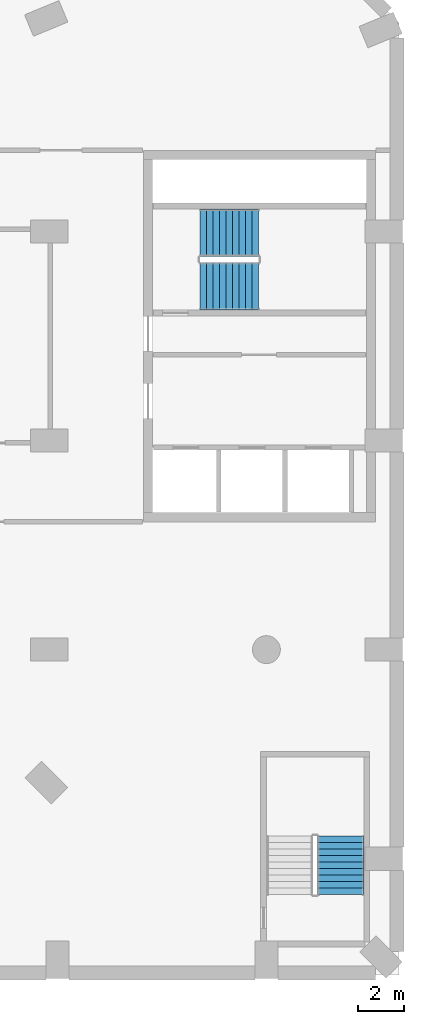
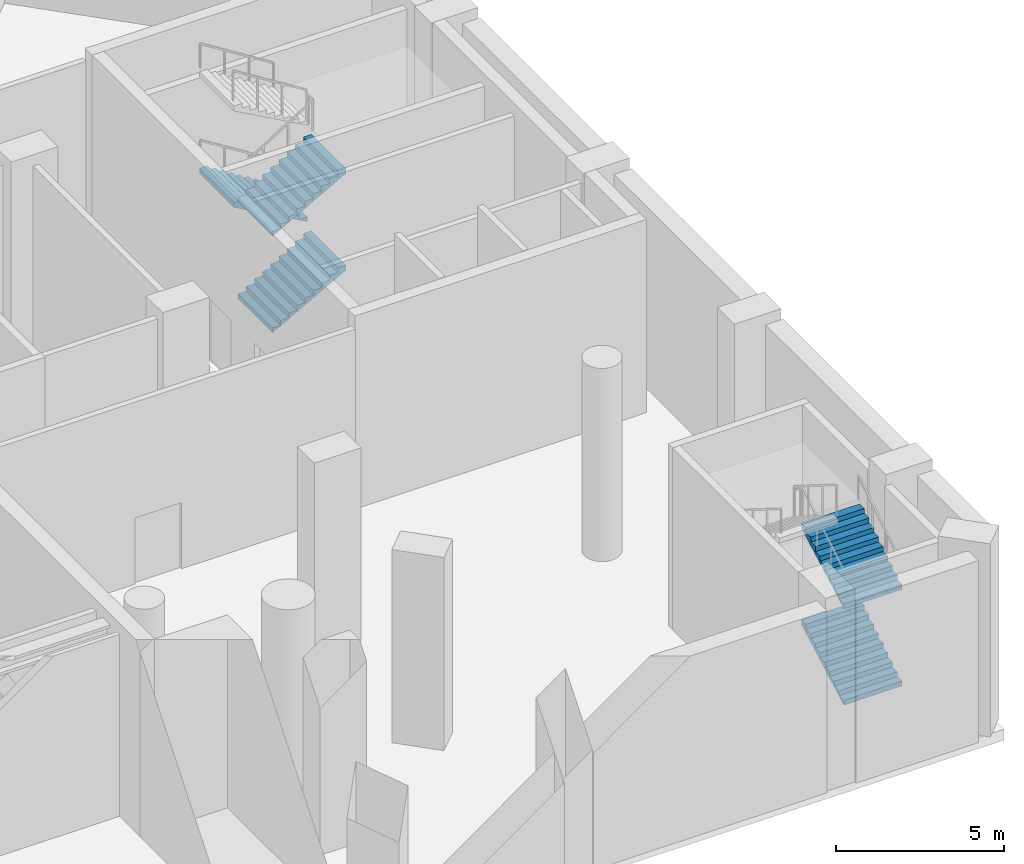
# One storey, part 16 of 21: 5 stair flights, 2 elements without a shape of their own.
"""IFC4 building model written with IfcOpenShell, lengths in metres."""

import ifcopenshell
import ifcopenshell.guid

model = None  # the IFC model being written
_history = None  # IfcOwnerHistory: only IFC2X3 demands one
_inside = {}  # id of a spatial element -> (the spatial element, [elements in it])
_under = {}  # id of a project, library or spatial element -> (it, [spatial elements below it])
_declared = {}  # id of a project -> (the project, [libraries it declares])
_typed = {}  # id of a type object -> (the type object, [elements of that type])
_made_of = {}  # id of a material, layer set ... -> (it, [elements and type objects made of it])


def new_model(schema):
    """Start an empty IFC model of exactly this schema.

    Asked for "IFC4X3", IfcOpenShell would pick the latest addendum, in which some entities
    have other attributes; the version numbers below select the first issue.
    IFC2X3 requires an IfcOwnerHistory on every rooted entity: one is made here for all.
    """
    global model, _history
    if schema == "IFC4X3":
        model = ifcopenshell.file(schema_version=(4, 3, 0, 0))
    else:
        model = ifcopenshell.file(schema=schema)
    _inside.clear()
    _under.clear()
    _declared.clear()
    _typed.clear()
    _made_of.clear()
    _history = None
    if model.schema == "IFC2X3":
        org = make("IfcOrganization", Name="unknown")
        user = make(
            "IfcPersonAndOrganization",
            ThePerson=make("IfcPerson", FamilyName="unknown"),
            TheOrganization=org,
        )
        app = make(
            "IfcApplication",
            ApplicationDeveloper=org,
            Version="unknown",
            ApplicationFullName="unknown",
            ApplicationIdentifier="unknown",
        )
        _history = make(
            "IfcOwnerHistory",
            OwningUser=user,
            OwningApplication=app,
            ChangeAction="ADDED",
            CreationDate=0,
        )
    return model


def make(cls, **values):
    """One entity of the class cls with the attributes given. An attribute that is None is left unset."""
    return model.create_entity(
        cls, **{name: value for name, value in values.items() if value is not None}
    )


def rooted(cls, **values):
    """An entity with a GlobalId (a new one), such as an element, a storey or a relation."""
    return make(cls, GlobalId=ifcopenshell.guid.new(), OwnerHistory=_history, **values)


def si_unit(unit_type, name, prefix=None):
    """IfcSIUnit, for example si_unit("LENGTHUNIT", "METRE", prefix="MILLI")."""
    return make("IfcSIUnit", UnitType=unit_type, Prefix=prefix, Name=name)


def assignment(units):
    """IfcUnitAssignment: the units of a project."""
    return None if units is None else make("IfcUnitAssignment", Units=units)


def point(xyz):
    """IfcCartesianPoint."""
    return None if xyz is None else make("IfcCartesianPoint", Coordinates=xyz)


def direction(xyz):
    """IfcDirection."""
    return None if xyz is None else make("IfcDirection", DirectionRatios=xyz)


def frame(location, z_axis=None, x_axis=None):
    """IfcAxis2Placement3D, a coordinate frame: its origin and axes. An axis left out is left unset."""
    return make(
        "IfcAxis2Placement3D",
        Location=point(location),
        Axis=direction(z_axis),
        RefDirection=direction(x_axis),
    )


def origin():
    """The frame at (0, 0, 0) with its axes left unset."""
    return frame((0.0, 0.0, 0.0))


def place(relative_to, where):
    """IfcLocalPlacement: puts the frame where relative to a parent placement (None: the world)."""
    return make(
        "IfcLocalPlacement", PlacementRelTo=relative_to, RelativePlacement=where
    )


def context(
    kind, dimensions, precision=None, world=None, true_north=None, identifier=None
):
    """IfcGeometricRepresentationContext, for example the 3D "Model" context."""
    return make(
        "IfcGeometricRepresentationContext",
        ContextIdentifier=identifier,
        ContextType=kind,
        CoordinateSpaceDimension=dimensions,
        Precision=precision,
        WorldCoordinateSystem=world,
        TrueNorth=true_north,
    )


def subcontext(parent, identifier, kind, view, scale=None):
    """IfcGeometricRepresentationSubContext, for example "Body" below "Model"."""
    return make(
        "IfcGeometricRepresentationSubContext",
        ContextIdentifier=identifier,
        ContextType=kind,
        ParentContext=parent,
        TargetScale=scale,
        TargetView=view,
    )


def project(units=None, contexts=None):
    """IfcProject with its units and contexts."""
    return rooted(
        "IfcProject",
        Name="project",
        RepresentationContexts=contexts,
        UnitsInContext=assignment(units),
    )


def spatial(cls, under=None, at=None, **own):
    """A site, building, storey or space (cls), placed at a placement, below another one or the project."""
    s = rooted(cls, ObjectPlacement=at, **own)
    if under is not None:
        _under.setdefault(under.id(), (under, []))[1].append(s)
    return s


def point_list(points):
    """IfcCartesianPointList2D or 3D."""
    cls = (
        "IfcCartesianPointList2D" if len(points[0]) == 2 else "IfcCartesianPointList3D"
    )
    return make(cls, CoordList=points)


def triangles(points, corners, closed=None, point_numbers=None):
    """IfcTriangulatedFaceSet: each triangle names its three corners, points numbered from 1."""
    return make(
        "IfcTriangulatedFaceSet",
        Coordinates=point_list(points),
        Closed=closed,
        CoordIndex=corners,
        PnIndex=point_numbers,
    )


def shape(context_of_items, identifier, shape_type, items):
    """IfcShapeRepresentation: the items that make up one representation, for example the "Body"."""
    return make(
        "IfcShapeRepresentation",
        ContextOfItems=context_of_items,
        RepresentationIdentifier=identifier,
        RepresentationType=shape_type,
        Items=items,
    )


def material(Name=None, Category=None):
    """IfcMaterial."""
    return make("IfcMaterial", Name=Name, Category=Category)


def made_of(thing, what):
    """Note that an element or type object is made of a material, layer set ...; save() writes the relation."""
    if what is not None:
        _made_of.setdefault(what.id(), (what, []))[1].append(thing)
    return thing


def type_object(cls, material=None, **own):
    """A type object (cls), such as IfcWallType, which elements share."""
    return made_of(rooted(cls, **own), material)


def element(
    cls,
    number,
    at=None,
    inside=None,
    cuts=None,
    type_object=None,
    material=None,
    context=None,
    identifier="Body",
    shape_type=None,
    held_by="IfcProductDefinitionShape",
    body=None,
    shapes=None,
    **own,
):
    """One element of the class cls, such as IfcWall. Its Tag is "e" and its number.

    at: its placement. inside: the storey or other place that contains it. cuts: it is an
    opening in that element (IfcRelVoidsElement). A single representation is given by context,
    identifier, shape_type and body (its items); several are given by shapes. held_by: the class
    of the entity that holds the representations. save() writes the other relations.
    """
    e = rooted(cls, Tag="e%d" % number, ObjectPlacement=at, **own)
    if body is not None:
        shapes = [shape(context, identifier, shape_type, body)]
    if shapes is not None:
        e.Representation = make(held_by, Representations=shapes)
    if inside is not None:
        _inside.setdefault(inside.id(), (inside, []))[1].append(e)
    if cuts is not None:
        rooted(
            "IfcRelVoidsElement", RelatingBuildingElement=cuts, RelatedOpeningElement=e
        )
    if type_object is not None:
        _typed.setdefault(type_object.id(), (type_object, []))[1].append(e)
    return made_of(e, material)


def aggregate(whole, parts):
    """IfcRelAggregates: a whole, such as a stair, and the parts it consists of."""
    return rooted("IfcRelAggregates", RelatingObject=whole, RelatedObjects=parts)


def save(model, path):
    """Write the relations noted so far, then the file.

    IfcRelAggregates (storeys below a building ...), IfcRelContainedInSpatialStructure (elements
    in a storey), IfcRelDefinesByType, IfcRelAssociatesMaterial and IfcRelDeclares: one each for
    every whole, place, type object, material and project.
    """
    for whole, parts in _under.values():
        aggregate(whole, parts)
    for where, things in _inside.values():
        rooted(
            "IfcRelContainedInSpatialStructure",
            RelatedElements=things,
            RelatingStructure=where,
        )
    for kind, things in _typed.values():
        rooted("IfcRelDefinesByType", RelatedObjects=things, RelatingType=kind)
    for what, things in _made_of.values():
        rooted("IfcRelAssociatesMaterial", RelatedObjects=things, RelatingMaterial=what)
    for by, libraries in _declared.values():
        rooted("IfcRelDeclares", RelatingContext=by, RelatedDefinitions=libraries)
    model.write(path)


model = new_model("IFC4")

# Units and contexts
model_context = context("Model", 3, precision=1e-05, world=origin(), true_north=direction((0.0, 1.0)))
body_context = subcontext(model_context, "Body", "Model", "MODEL_VIEW")
ifc_project = project(units=[si_unit("LENGTHUNIT", "METRE"), si_unit("AREAUNIT", "SQUARE_METRE"), si_unit("VOLUMEUNIT", "CUBIC_METRE"), si_unit("PLANEANGLEUNIT", "RADIAN"), si_unit("MASSUNIT", "GRAM", prefix="KILO")], contexts=[model_context])

# Site, building, storey
site_placement = place(None, origin())
site = spatial("IfcSite", under=ifc_project, at=site_placement, CompositionType="ELEMENT")
building_placement = place(site_placement, origin())
building = spatial("IfcBuilding", under=site, at=building_placement, Name="Cypress Arch Tower", CompositionType="ELEMENT")
storey_placement = place(building_placement, frame((0.0, 0.0, 29.0)))
storey = spatial("IfcBuildingStorey", under=building, at=storey_placement, Name="L03", CompositionType="ELEMENT", Elevation=29.0)

# Stair, stair flights
ifc_material_1 = material(Name="Concrete C40/50", Category="concrete")
stair_type_1 = type_object("IfcStairType", Name="Exit stair ES1750-200", PredefinedType="HALF_TURN_STAIR", material=ifc_material_1)
stair_1_placement = place(storey_placement, origin())
stair_1 = element("IfcStair", 1, at=stair_1_placement, inside=storey, type_object=stair_type_1, Name="L03 Exit stair P4", PredefinedType="HALF_TURN_STAIR")
ifc_material_2 = material(Name="Concrete C40/50", Category="concrete")
stair_flight_type_1 = type_object("IfcStairFlightType", Name="Exit stair flight ES1750-200", PredefinedType="STRAIGHT", material=ifc_material_2)
stair_flight_1_placement = place(storey_placement, frame((36.5, -24.050048828125, 0.0), z_axis=(0.0, 0.0, 1.0), x_axis=(0.0, 1.0, 0.0)))
stair_flight_1 = element("IfcStairFlight", 2, at=stair_flight_1_placement, type_object=stair_flight_type_1, Name="P4 flight 1", NumberOfRisers=10, NumberOfTreads=9, PredefinedType="STRAIGHT", RiserHeight=0.175, TreadLength=0.28, context=body_context, shape_type="Tessellation", body=[
    triangles([(0.0, -1.0, 0.0), (0.000244140625, -1.0, 0.034912109375), (0.00048828125, -1.0, 0.070068359375), (0.00048828125, -1.0, 0.10498046875), (0.000244140625, -1.0, 0.14013671875), (0.0, -1.0, 0.175048828125), (0.280029296875, -1.0, 0.175048828125), (0.280029296875, -1.0, 0.35009765625), (0.56005859375, -1.0, 0.35009765625), (0.56005859375, -1.0, 0.52490234375), (0.840087890625, -1.0, 0.52490234375), (0.840087890625, -1.0, 0.699951171875), (1.1201171875, -1.0, 0.699951171875), (1.1201171875, -1.0, 0.875), (1.39990234375, -1.0, 0.875), (1.39990234375, -1.0, 1.050048828125), (1.679931640625, -1.0, 1.050048828125), (1.679931640625, -1.0, 1.22509765625), (1.9599609375, -1.0, 1.22509765625), (1.9599609375, -1.0, 1.39990234375), (2.239990234375, -1.0, 1.39990234375), (2.239990234375, -1.0, 1.574951171875), (2.52001953125, -1.0, 1.574951171875), (2.519775390625, -1.0, 1.53955078125), (2.51953125, -1.0, 1.504150390625), (2.51953125, -1.0, 1.468994140625), (2.519775390625, -1.0, 1.43359375), (2.52001953125, -1.0, 1.398193359375), (2.52001953125, 1.0, 1.398193359375), (2.519775390625, 1.0, 1.43359375), (2.51953125, 1.0, 1.468994140625), (2.51953125, 1.0, 1.504150390625), (2.519775390625, 1.0, 1.53955078125), (2.52001953125, 1.0, 1.574951171875), (2.239990234375, 1.0, 1.574951171875), (2.239990234375, 1.0, 1.39990234375), (1.9599609375, 1.0, 1.39990234375), (1.9599609375, 1.0, 1.22509765625), (1.679931640625, 1.0, 1.22509765625), (1.679931640625, 1.0, 1.050048828125), (1.39990234375, 1.0, 1.050048828125), (1.39990234375, 1.0, 0.875), (1.1201171875, 1.0, 0.875), (1.1201171875, 1.0, 0.699951171875), (0.840087890625, 1.0, 0.699951171875), (0.840087890625, 1.0, 0.52490234375), (0.56005859375, 1.0, 0.52490234375), (0.56005859375, 1.0, 0.35009765625), (0.280029296875, 1.0, 0.35009765625), (0.280029296875, 1.0, 0.175048828125), (0.0, 1.0, 0.175048828125), (0.000244140625, 1.0, 0.14013671875), (0.00048828125, 1.0, 0.10498046875), (0.00048828125, 1.0, 0.070068359375), (0.000244140625, 1.0, 0.034912109375), (0.0, 1.0, 0.0), (2.519775390625, 0.0, 1.43359375), (2.52001953125, 0.0, 1.398193359375), (2.51953125, 0.0, 1.468994140625), (2.51953125, 0.0, 1.504150390625), (2.519775390625, 0.0, 1.53955078125), (2.52001953125, 0.0, 1.574951171875), (2.239990234375, 0.0, 1.574951171875), (2.239990234375, 0.0, 1.39990234375), (1.9599609375, 0.0, 1.39990234375), (1.9599609375, 0.0, 1.22509765625), (1.679931640625, 0.0, 1.22509765625), (1.679931640625, 0.0, 1.050048828125), (1.39990234375, 0.0, 1.050048828125), (1.39990234375, 0.0, 0.875), (1.1201171875, 0.0, 0.875), (1.1201171875, 0.0, 0.699951171875), (0.840087890625, 0.0, 0.699951171875), (0.840087890625, 0.0, 0.52490234375), (0.56005859375, 0.0, 0.52490234375), (0.56005859375, 0.0, 0.35009765625), (0.280029296875, 0.0, 0.35009765625), (0.280029296875, 0.0, 0.175048828125), (0.0, 0.0, 0.175048828125), (0.000244140625, 0.0, 0.14013671875), (0.00048828125, 0.0, 0.10498046875), (0.00048828125, 0.0, 0.070068359375), (0.000244140625, 0.0, 0.034912109375), (0.0, 0.0, 0.0)], [[28, 27, 22], [27, 26, 22], [26, 25, 22], [25, 24, 22], [24, 23, 22], [15, 14, 13], [19, 18, 17], [17, 16, 15], [13, 12, 11], [9, 8, 7], [6, 5, 7], [5, 4, 7], [4, 3, 7], [3, 2, 7], [2, 1, 7], [21, 20, 19], [11, 10, 9], [28, 22, 21], [28, 21, 19], [28, 19, 17], [28, 17, 15], [28, 15, 13], [28, 13, 11], [1, 28, 11], [11, 9, 7], [11, 7, 1], [29, 35, 30], [30, 35, 31], [31, 35, 32], [32, 35, 33], [33, 35, 34], [42, 44, 43], [38, 40, 39], [40, 42, 41], [44, 46, 45], [48, 50, 49], [51, 50, 52], [52, 50, 53], [53, 50, 54], [54, 50, 55], [55, 50, 56], [36, 38, 37], [46, 48, 47], [29, 36, 35], [29, 38, 36], [29, 40, 38], [29, 42, 40], [29, 44, 42], [29, 46, 44], [56, 46, 29], [46, 50, 48], [46, 56, 50], [58, 57, 27], [58, 27, 28], [29, 30, 57], [29, 57, 58], [57, 59, 26], [57, 26, 27], [30, 31, 59], [30, 59, 57], [59, 60, 25], [59, 25, 26], [31, 32, 60], [31, 60, 59], [60, 61, 24], [60, 24, 25], [32, 33, 61], [32, 61, 60], [61, 62, 23], [61, 23, 24], [33, 34, 62], [33, 62, 61], [62, 63, 22], [62, 22, 23], [34, 35, 63], [34, 63, 62], [63, 64, 21], [63, 21, 22], [35, 36, 64], [35, 64, 63], [64, 65, 20], [64, 20, 21], [36, 37, 65], [36, 65, 64], [65, 66, 19], [65, 19, 20], [37, 38, 66], [37, 66, 65], [66, 67, 18], [66, 18, 19], [38, 39, 67], [38, 67, 66], [67, 68, 17], [67, 17, 18], [39, 40, 68], [39, 68, 67], [68, 69, 16], [68, 16, 17], [40, 41, 69], [40, 69, 68], [69, 70, 15], [69, 15, 16], [41, 42, 70], [41, 70, 69], [70, 71, 14], [70, 14, 15], [42, 43, 71], [42, 71, 70], [71, 72, 13], [71, 13, 14], [43, 44, 72], [43, 72, 71], [72, 73, 12], [72, 12, 13], [44, 45, 73], [44, 73, 72], [73, 74, 11], [73, 11, 12], [45, 46, 74], [45, 74, 73], [74, 75, 10], [74, 10, 11], [46, 47, 75], [46, 75, 74], [75, 76, 9], [75, 9, 10], [47, 48, 76], [47, 76, 75], [76, 77, 8], [76, 8, 9], [48, 49, 77], [48, 77, 76], [77, 78, 7], [77, 7, 8], [49, 50, 78], [49, 78, 77], [78, 79, 6], [78, 6, 7], [50, 51, 79], [50, 79, 78], [79, 80, 5], [79, 5, 6], [51, 52, 80], [51, 80, 79], [80, 81, 4], [80, 4, 5], [52, 53, 81], [52, 81, 80], [81, 82, 3], [81, 3, 4], [53, 54, 82], [53, 82, 81], [82, 83, 2], [82, 2, 3], [54, 55, 83], [54, 83, 82], [83, 84, 1], [83, 1, 2], [55, 56, 84], [55, 84, 83], [84, 58, 28], [84, 28, 1], [56, 29, 58], [56, 58, 84]], closed=True),
])
stair_flight_2_placement = place(storey_placement, frame((36.5, -24.050048828125, 3.5), z_axis=(0.0, 0.0, 1.0), x_axis=(0.0, 1.0, 0.0)))
stair_flight_2 = element("IfcStairFlight", 3, at=stair_flight_2_placement, type_object=stair_flight_type_1, Name="P4 flight 3", NumberOfRisers=10, NumberOfTreads=9, PredefinedType="STRAIGHT", RiserHeight=0.175, TreadLength=0.28, context=body_context, shape_type="Tessellation", body=[
    triangles([(0.0, -1.0, 0.0), (0.000244140625, -1.0, 0.034912109375), (0.00048828125, -1.0, 0.070068359375), (0.00048828125, -1.0, 0.10498046875), (0.000244140625, -1.0, 0.14013671875), (0.0, -1.0, 0.175048828125), (0.280029296875, -1.0, 0.175048828125), (0.280029296875, -1.0, 0.35009765625), (0.56005859375, -1.0, 0.35009765625), (0.56005859375, -1.0, 0.52490234375), (0.840087890625, -1.0, 0.52490234375), (0.840087890625, -1.0, 0.699951171875), (1.1201171875, -1.0, 0.699951171875), (1.1201171875, -1.0, 0.875), (1.39990234375, -1.0, 0.875), (1.39990234375, -1.0, 1.050048828125), (1.679931640625, -1.0, 1.050048828125), (1.679931640625, -1.0, 1.22509765625), (1.9599609375, -1.0, 1.22509765625), (1.9599609375, -1.0, 1.39990234375), (2.239990234375, -1.0, 1.39990234375), (2.239990234375, -1.0, 1.574951171875), (2.52001953125, -1.0, 1.574951171875), (2.519775390625, -1.0, 1.53955078125), (2.51953125, -1.0, 1.504150390625), (2.51953125, -1.0, 1.468994140625), (2.519775390625, -1.0, 1.43359375), (2.52001953125, -1.0, 1.398193359375), (2.52001953125, 1.0, 1.398193359375), (2.519775390625, 1.0, 1.43359375), (2.51953125, 1.0, 1.468994140625), (2.51953125, 1.0, 1.504150390625), (2.519775390625, 1.0, 1.53955078125), (2.52001953125, 1.0, 1.574951171875), (2.239990234375, 1.0, 1.574951171875), (2.239990234375, 1.0, 1.39990234375), (1.9599609375, 1.0, 1.39990234375), (1.9599609375, 1.0, 1.22509765625), (1.679931640625, 1.0, 1.22509765625), (1.679931640625, 1.0, 1.050048828125), (1.39990234375, 1.0, 1.050048828125), (1.39990234375, 1.0, 0.875), (1.1201171875, 1.0, 0.875), (1.1201171875, 1.0, 0.699951171875), (0.840087890625, 1.0, 0.699951171875), (0.840087890625, 1.0, 0.52490234375), (0.56005859375, 1.0, 0.52490234375), (0.56005859375, 1.0, 0.35009765625), (0.280029296875, 1.0, 0.35009765625), (0.280029296875, 1.0, 0.175048828125), (0.0, 1.0, 0.175048828125), (0.000244140625, 1.0, 0.14013671875), (0.00048828125, 1.0, 0.10498046875), (0.00048828125, 1.0, 0.070068359375), (0.000244140625, 1.0, 0.034912109375), (0.0, 1.0, 0.0), (2.519775390625, 0.0, 1.43359375), (2.52001953125, 0.0, 1.398193359375), (2.51953125, 0.0, 1.468994140625), (2.51953125, 0.0, 1.504150390625), (2.519775390625, 0.0, 1.53955078125), (2.52001953125, 0.0, 1.574951171875), (2.239990234375, 0.0, 1.574951171875), (2.239990234375, 0.0, 1.39990234375), (1.9599609375, 0.0, 1.39990234375), (1.9599609375, 0.0, 1.22509765625), (1.679931640625, 0.0, 1.22509765625), (1.679931640625, 0.0, 1.050048828125), (1.39990234375, 0.0, 1.050048828125), (1.39990234375, 0.0, 0.875), (1.1201171875, 0.0, 0.875), (1.1201171875, 0.0, 0.699951171875), (0.840087890625, 0.0, 0.699951171875), (0.840087890625, 0.0, 0.52490234375), (0.56005859375, 0.0, 0.52490234375), (0.56005859375, 0.0, 0.35009765625), (0.280029296875, 0.0, 0.35009765625), (0.280029296875, 0.0, 0.175048828125), (0.0, 0.0, 0.175048828125), (0.000244140625, 0.0, 0.14013671875), (0.00048828125, 0.0, 0.10498046875), (0.00048828125, 0.0, 0.070068359375), (0.000244140625, 0.0, 0.034912109375), (0.0, 0.0, 0.0)], [[28, 27, 22], [27, 26, 22], [26, 25, 22], [25, 24, 22], [24, 23, 22], [15, 14, 13], [19, 18, 17], [17, 16, 15], [13, 12, 11], [9, 8, 7], [6, 5, 7], [5, 4, 7], [4, 3, 7], [3, 2, 7], [2, 1, 7], [21, 20, 19], [11, 10, 9], [28, 22, 21], [28, 21, 19], [28, 19, 17], [28, 17, 15], [28, 15, 13], [28, 13, 11], [1, 28, 11], [11, 9, 7], [11, 7, 1], [29, 35, 30], [30, 35, 31], [31, 35, 32], [32, 35, 33], [33, 35, 34], [42, 44, 43], [38, 40, 39], [40, 42, 41], [44, 46, 45], [48, 50, 49], [51, 50, 52], [52, 50, 53], [53, 50, 54], [54, 50, 55], [55, 50, 56], [36, 38, 37], [46, 48, 47], [29, 36, 35], [29, 38, 36], [29, 40, 38], [29, 42, 40], [29, 44, 42], [29, 46, 44], [56, 46, 29], [46, 50, 48], [46, 56, 50], [58, 57, 27], [58, 27, 28], [29, 30, 57], [29, 57, 58], [57, 59, 26], [57, 26, 27], [30, 31, 59], [30, 59, 57], [59, 60, 25], [59, 25, 26], [31, 32, 60], [31, 60, 59], [60, 61, 24], [60, 24, 25], [32, 33, 61], [32, 61, 60], [61, 62, 23], [61, 23, 24], [33, 34, 62], [33, 62, 61], [62, 63, 22], [62, 22, 23], [34, 35, 63], [34, 63, 62], [63, 64, 21], [63, 21, 22], [35, 36, 64], [35, 64, 63], [64, 65, 20], [64, 20, 21], [36, 37, 65], [36, 65, 64], [65, 66, 19], [65, 19, 20], [37, 38, 66], [37, 66, 65], [66, 67, 18], [66, 18, 19], [38, 39, 67], [38, 67, 66], [67, 68, 17], [67, 17, 18], [39, 40, 68], [39, 68, 67], [68, 69, 16], [68, 16, 17], [40, 41, 69], [40, 69, 68], [69, 70, 15], [69, 15, 16], [41, 42, 70], [41, 70, 69], [70, 71, 14], [70, 14, 15], [42, 43, 71], [42, 71, 70], [71, 72, 13], [71, 13, 14], [43, 44, 72], [43, 72, 71], [72, 73, 12], [72, 12, 13], [44, 45, 73], [44, 73, 72], [73, 74, 11], [73, 11, 12], [45, 46, 74], [45, 74, 73], [74, 75, 10], [74, 10, 11], [46, 47, 75], [46, 75, 74], [75, 76, 9], [75, 9, 10], [47, 48, 76], [47, 76, 75], [76, 77, 8], [76, 8, 9], [48, 49, 77], [48, 77, 76], [77, 78, 7], [77, 7, 8], [49, 50, 78], [49, 78, 77], [78, 79, 6], [78, 6, 7], [50, 51, 79], [50, 79, 78], [79, 80, 5], [79, 5, 6], [51, 52, 80], [51, 80, 79], [80, 81, 4], [80, 4, 5], [52, 53, 81], [52, 81, 80], [81, 82, 3], [81, 3, 4], [53, 54, 82], [53, 82, 81], [82, 83, 2], [82, 2, 3], [54, 55, 83], [54, 83, 82], [83, 84, 1], [83, 1, 2], [55, 56, 84], [55, 84, 83], [84, 58, 28], [84, 28, 1], [56, 29, 58], [56, 58, 84]], closed=True),
])
aggregate(stair_1, [stair_flight_1, stair_flight_2])

ifc_material_3 = material(Name="Concrete C40/50", Category="concrete")
stair_type_2 = type_object("IfcStairType", Name="Exit stair ES1750-205", PredefinedType="HALF_TURN_STAIR", material=ifc_material_3)
stair_2_placement = place(storey_placement, origin())
stair_2 = element("IfcStair", 4, at=stair_2_placement, inside=storey, type_object=stair_type_2, Name="L03 Exit stair P3", PredefinedType="HALF_TURN_STAIR")
ifc_material_4 = material(Name="Concrete C40/50", Category="concrete")
stair_flight_type_2 = type_object("IfcStairFlightType", Name="Exit stair flight ES1750-205", PredefinedType="STRAIGHT", material=ifc_material_4)
stair_flight_3_placement = place(storey_placement, frame((30.449951171875, 2.14990234375, 0.0), z_axis=(0.0, 0.0, 1.0), x_axis=(1.0, 0.0, 0.0)))
stair_flight_3 = element("IfcStairFlight", 5, at=stair_flight_3_placement, type_object=stair_flight_type_2, Name="P3 flight 1", NumberOfRisers=10, NumberOfTreads=9, PredefinedType="STRAIGHT", RiserHeight=0.175, TreadLength=0.28, context=body_context, shape_type="Tessellation", body=[
    triangles([(0.0, -1.02490234375, 0.0), (0.000244140625, -1.02490234375, 0.034912109375), (0.00048828125, -1.02490234375, 0.070068359375), (0.00048828125, -1.02490234375, 0.10498046875), (0.000244140625, -1.02490234375, 0.14013671875), (0.0, -1.02490234375, 0.175048828125), (0.280029296875, -1.02490234375, 0.175048828125), (0.280029296875, -1.02490234375, 0.35009765625), (0.56005859375, -1.02490234375, 0.35009765625), (0.56005859375, -1.02490234375, 0.52490234375), (0.840087890625, -1.02490234375, 0.52490234375), (0.840087890625, -1.02490234375, 0.699951171875), (1.1201171875, -1.02490234375, 0.699951171875), (1.1201171875, -1.02490234375, 0.875), (1.39990234375, -1.02490234375, 0.875), (1.39990234375, -1.02490234375, 1.050048828125), (1.679931640625, -1.02490234375, 1.050048828125), (1.679931640625, -1.02490234375, 1.22509765625), (1.9599609375, -1.02490234375, 1.22509765625), (1.9599609375, -1.02490234375, 1.39990234375), (2.239990234375, -1.02490234375, 1.39990234375), (2.239990234375, -1.02490234375, 1.574951171875), (2.52001953125, -1.02490234375, 1.574951171875), (2.519775390625, -1.02490234375, 1.53955078125), (2.51953125, -1.02490234375, 1.504150390625), (2.51953125, -1.02490234375, 1.468994140625), (2.519775390625, -1.02490234375, 1.43359375), (2.52001953125, -1.02490234375, 1.398193359375), (2.52001953125, 1.02490234375, 1.398193359375), (2.519775390625, 1.02490234375, 1.43359375), (2.51953125, 1.02490234375, 1.468994140625), (2.51953125, 1.02490234375, 1.504150390625), (2.519775390625, 1.02490234375, 1.53955078125), (2.52001953125, 1.02490234375, 1.574951171875), (2.239990234375, 1.02490234375, 1.574951171875), (2.239990234375, 1.02490234375, 1.39990234375), (1.9599609375, 1.02490234375, 1.39990234375), (1.9599609375, 1.02490234375, 1.22509765625), (1.679931640625, 1.02490234375, 1.22509765625), (1.679931640625, 1.02490234375, 1.050048828125), (1.39990234375, 1.02490234375, 1.050048828125), (1.39990234375, 1.02490234375, 0.875), (1.1201171875, 1.02490234375, 0.875), (1.1201171875, 1.02490234375, 0.699951171875), (0.840087890625, 1.02490234375, 0.699951171875), (0.840087890625, 1.02490234375, 0.52490234375), (0.56005859375, 1.02490234375, 0.52490234375), (0.56005859375, 1.02490234375, 0.35009765625), (0.280029296875, 1.02490234375, 0.35009765625), (0.280029296875, 1.02490234375, 0.175048828125), (0.0, 1.02490234375, 0.175048828125), (0.000244140625, 1.02490234375, 0.14013671875), (0.00048828125, 1.02490234375, 0.10498046875), (0.00048828125, 1.02490234375, 0.070068359375), (0.000244140625, 1.02490234375, 0.034912109375), (0.0, 1.02490234375, 0.0), (2.519775390625, 0.0, 1.43359375), (2.52001953125, 0.0, 1.398193359375), (2.51953125, 0.0, 1.468994140625), (2.51953125, 0.0, 1.504150390625), (2.519775390625, 0.0, 1.53955078125), (2.52001953125, 0.0, 1.574951171875), (2.239990234375, 0.0, 1.574951171875), (2.239990234375, 0.0, 1.39990234375), (1.9599609375, 0.0, 1.39990234375), (1.9599609375, 0.0, 1.22509765625), (1.679931640625, 0.0, 1.22509765625), (1.679931640625, 0.0, 1.050048828125), (1.39990234375, 0.0, 1.050048828125), (1.39990234375, 0.0, 0.875), (1.1201171875, 0.0, 0.875), (1.1201171875, 0.0, 0.699951171875), (0.840087890625, 0.0, 0.699951171875), (0.840087890625, 0.0, 0.52490234375), (0.56005859375, 0.0, 0.52490234375), (0.56005859375, 0.0, 0.35009765625), (0.280029296875, 0.0, 0.35009765625), (0.280029296875, 0.0, 0.175048828125), (0.0, 0.0, 0.175048828125), (0.000244140625, 0.0, 0.14013671875), (0.00048828125, 0.0, 0.10498046875), (0.00048828125, 0.0, 0.070068359375), (0.000244140625, 0.0, 0.034912109375), (0.0, 0.0, 0.0)], [[28, 27, 22], [27, 26, 22], [26, 25, 22], [25, 24, 22], [24, 23, 22], [15, 14, 13], [19, 18, 17], [17, 16, 15], [13, 12, 11], [9, 8, 7], [6, 5, 7], [5, 4, 7], [4, 3, 7], [3, 2, 7], [2, 1, 7], [21, 20, 19], [11, 10, 9], [28, 22, 21], [28, 21, 19], [28, 19, 17], [28, 17, 15], [28, 15, 13], [28, 13, 11], [1, 28, 11], [11, 9, 7], [11, 7, 1], [29, 35, 30], [30, 35, 31], [31, 35, 32], [32, 35, 33], [33, 35, 34], [42, 44, 43], [38, 40, 39], [40, 42, 41], [44, 46, 45], [48, 50, 49], [51, 50, 52], [52, 50, 53], [53, 50, 54], [54, 50, 55], [55, 50, 56], [36, 38, 37], [46, 48, 47], [29, 36, 35], [29, 38, 36], [29, 40, 38], [29, 42, 40], [29, 44, 42], [29, 46, 44], [56, 46, 29], [46, 50, 48], [46, 56, 50], [58, 57, 27], [58, 27, 28], [29, 30, 57], [29, 57, 58], [57, 59, 26], [57, 26, 27], [30, 31, 59], [30, 59, 57], [59, 60, 25], [59, 25, 26], [31, 32, 60], [31, 60, 59], [60, 61, 24], [60, 24, 25], [32, 33, 61], [32, 61, 60], [61, 62, 23], [61, 23, 24], [33, 34, 62], [33, 62, 61], [62, 63, 22], [62, 22, 23], [34, 35, 63], [34, 63, 62], [63, 64, 21], [63, 21, 22], [35, 36, 64], [35, 64, 63], [64, 65, 20], [64, 20, 21], [36, 37, 65], [36, 65, 64], [65, 66, 19], [65, 19, 20], [37, 38, 66], [37, 66, 65], [66, 67, 18], [66, 18, 19], [38, 39, 67], [38, 67, 66], [67, 68, 17], [67, 17, 18], [39, 40, 68], [39, 68, 67], [68, 69, 16], [68, 16, 17], [40, 41, 69], [40, 69, 68], [69, 70, 15], [69, 15, 16], [41, 42, 70], [41, 70, 69], [70, 71, 14], [70, 14, 15], [42, 43, 71], [42, 71, 70], [71, 72, 13], [71, 13, 14], [43, 44, 72], [43, 72, 71], [72, 73, 12], [72, 12, 13], [44, 45, 73], [44, 73, 72], [73, 74, 11], [73, 11, 12], [45, 46, 74], [45, 74, 73], [74, 75, 10], [74, 10, 11], [46, 47, 75], [46, 75, 74], [75, 76, 9], [75, 9, 10], [47, 48, 76], [47, 76, 75], [76, 77, 8], [76, 8, 9], [48, 49, 77], [48, 77, 76], [77, 78, 7], [77, 7, 8], [49, 50, 78], [49, 78, 77], [78, 79, 6], [78, 6, 7], [50, 51, 79], [50, 79, 78], [79, 80, 5], [79, 5, 6], [51, 52, 80], [51, 80, 79], [80, 81, 4], [80, 4, 5], [52, 53, 81], [52, 81, 80], [81, 82, 3], [81, 3, 4], [53, 54, 82], [53, 82, 81], [82, 83, 2], [82, 2, 3], [54, 55, 83], [54, 83, 82], [83, 84, 1], [83, 1, 2], [55, 56, 84], [55, 84, 83], [84, 58, 28], [84, 28, 1], [56, 29, 58], [56, 58, 84]], closed=True),
])
stair_flight_4_placement = place(storey_placement, frame((32.969970703125, 4.449951171875, 1.75), z_axis=(0.0, 0.0, 1.0), x_axis=(-1.0, 0.0, 0.0)))
stair_flight_4 = element("IfcStairFlight", 6, at=stair_flight_4_placement, type_object=stair_flight_type_2, Name="P3 flight 2", NumberOfRisers=10, NumberOfTreads=9, PredefinedType="STRAIGHT", RiserHeight=0.175, TreadLength=0.28, context=body_context, shape_type="Tessellation", body=[
    triangles([(0.0, -1.02490234375, 0.0), (0.000244140625, -1.02490234375, 0.034912109375), (0.00048828125, -1.02490234375, 0.070068359375), (0.00048828125, -1.02490234375, 0.10498046875), (0.000244140625, -1.02490234375, 0.14013671875), (0.0, -1.02490234375, 0.175048828125), (0.280029296875, -1.02490234375, 0.175048828125), (0.280029296875, -1.02490234375, 0.35009765625), (0.56005859375, -1.02490234375, 0.35009765625), (0.56005859375, -1.02490234375, 0.52490234375), (0.840087890625, -1.02490234375, 0.52490234375), (0.840087890625, -1.02490234375, 0.699951171875), (1.1201171875, -1.02490234375, 0.699951171875), (1.1201171875, -1.02490234375, 0.875), (1.39990234375, -1.02490234375, 0.875), (1.39990234375, -1.02490234375, 1.050048828125), (1.679931640625, -1.02490234375, 1.050048828125), (1.679931640625, -1.02490234375, 1.22509765625), (1.9599609375, -1.02490234375, 1.22509765625), (1.9599609375, -1.02490234375, 1.39990234375), (2.239990234375, -1.02490234375, 1.39990234375), (2.239990234375, -1.02490234375, 1.574951171875), (2.52001953125, -1.02490234375, 1.574951171875), (2.519775390625, -1.02490234375, 1.53955078125), (2.51953125, -1.02490234375, 1.504150390625), (2.51953125, -1.02490234375, 1.468994140625), (2.519775390625, -1.02490234375, 1.43359375), (2.52001953125, -1.02490234375, 1.398193359375), (2.52001953125, 1.02490234375, 1.398193359375), (2.519775390625, 1.02490234375, 1.43359375), (2.51953125, 1.02490234375, 1.468994140625), (2.51953125, 1.02490234375, 1.504150390625), (2.519775390625, 1.02490234375, 1.53955078125), (2.52001953125, 1.02490234375, 1.574951171875), (2.239990234375, 1.02490234375, 1.574951171875), (2.239990234375, 1.02490234375, 1.39990234375), (1.9599609375, 1.02490234375, 1.39990234375), (1.9599609375, 1.02490234375, 1.22509765625), (1.679931640625, 1.02490234375, 1.22509765625), (1.679931640625, 1.02490234375, 1.050048828125), (1.39990234375, 1.02490234375, 1.050048828125), (1.39990234375, 1.02490234375, 0.875), (1.1201171875, 1.02490234375, 0.875), (1.1201171875, 1.02490234375, 0.699951171875), (0.840087890625, 1.02490234375, 0.699951171875), (0.840087890625, 1.02490234375, 0.52490234375), (0.56005859375, 1.02490234375, 0.52490234375), (0.56005859375, 1.02490234375, 0.35009765625), (0.280029296875, 1.02490234375, 0.35009765625), (0.280029296875, 1.02490234375, 0.175048828125), (0.0, 1.02490234375, 0.175048828125), (0.000244140625, 1.02490234375, 0.14013671875), (0.00048828125, 1.02490234375, 0.10498046875), (0.00048828125, 1.02490234375, 0.070068359375), (0.000244140625, 1.02490234375, 0.034912109375), (0.0, 1.02490234375, 0.0), (2.519775390625, 0.0, 1.43359375), (2.52001953125, 0.0, 1.398193359375), (2.51953125, 0.0, 1.468994140625), (2.51953125, 0.0, 1.504150390625), (2.519775390625, 0.0, 1.53955078125), (2.52001953125, 0.0, 1.574951171875), (2.239990234375, 0.0, 1.574951171875), (2.239990234375, 0.0, 1.39990234375), (1.9599609375, 0.0, 1.39990234375), (1.9599609375, 0.0, 1.22509765625), (1.679931640625, 0.0, 1.22509765625), (1.679931640625, 0.0, 1.050048828125), (1.39990234375, 0.0, 1.050048828125), (1.39990234375, 0.0, 0.875), (1.1201171875, 0.0, 0.875), (1.1201171875, 0.0, 0.699951171875), (0.840087890625, 0.0, 0.699951171875), (0.840087890625, 0.0, 0.52490234375), (0.56005859375, 0.0, 0.52490234375), (0.56005859375, 0.0, 0.35009765625), (0.280029296875, 0.0, 0.35009765625), (0.280029296875, 0.0, 0.175048828125), (0.0, 0.0, 0.175048828125), (0.000244140625, 0.0, 0.14013671875), (0.00048828125, 0.0, 0.10498046875), (0.00048828125, 0.0, 0.070068359375), (0.000244140625, 0.0, 0.034912109375), (0.0, 0.0, 0.0)], [[28, 27, 22], [27, 26, 22], [26, 25, 22], [25, 24, 22], [24, 23, 22], [15, 14, 13], [19, 18, 17], [17, 16, 15], [13, 12, 11], [9, 8, 7], [6, 5, 7], [5, 4, 7], [4, 3, 7], [3, 2, 7], [2, 1, 7], [21, 20, 19], [11, 10, 9], [28, 22, 21], [28, 21, 19], [28, 19, 17], [28, 17, 15], [28, 15, 13], [28, 13, 11], [1, 28, 11], [11, 9, 7], [11, 7, 1], [29, 35, 30], [30, 35, 31], [31, 35, 32], [32, 35, 33], [33, 35, 34], [42, 44, 43], [38, 40, 39], [40, 42, 41], [44, 46, 45], [48, 50, 49], [51, 50, 52], [52, 50, 53], [53, 50, 54], [54, 50, 55], [55, 50, 56], [36, 38, 37], [46, 48, 47], [29, 36, 35], [29, 38, 36], [29, 40, 38], [29, 42, 40], [29, 44, 42], [29, 46, 44], [56, 46, 29], [46, 50, 48], [46, 56, 50], [58, 57, 27], [58, 27, 28], [29, 30, 57], [29, 57, 58], [57, 59, 26], [57, 26, 27], [30, 31, 59], [30, 59, 57], [59, 60, 25], [59, 25, 26], [31, 32, 60], [31, 60, 59], [60, 61, 24], [60, 24, 25], [32, 33, 61], [32, 61, 60], [61, 62, 23], [61, 23, 24], [33, 34, 62], [33, 62, 61], [62, 63, 22], [62, 22, 23], [34, 35, 63], [34, 63, 62], [63, 64, 21], [63, 21, 22], [35, 36, 64], [35, 64, 63], [64, 65, 20], [64, 20, 21], [36, 37, 65], [36, 65, 64], [65, 66, 19], [65, 19, 20], [37, 38, 66], [37, 66, 65], [66, 67, 18], [66, 18, 19], [38, 39, 67], [38, 67, 66], [67, 68, 17], [67, 17, 18], [39, 40, 68], [39, 68, 67], [68, 69, 16], [68, 16, 17], [40, 41, 69], [40, 69, 68], [69, 70, 15], [69, 15, 16], [41, 42, 70], [41, 70, 69], [70, 71, 14], [70, 14, 15], [42, 43, 71], [42, 71, 70], [71, 72, 13], [71, 13, 14], [43, 44, 72], [43, 72, 71], [72, 73, 12], [72, 12, 13], [44, 45, 73], [44, 73, 72], [73, 74, 11], [73, 11, 12], [45, 46, 74], [45, 74, 73], [74, 75, 10], [74, 10, 11], [46, 47, 75], [46, 75, 74], [75, 76, 9], [75, 9, 10], [47, 48, 76], [47, 76, 75], [76, 77, 8], [76, 8, 9], [48, 49, 77], [48, 77, 76], [77, 78, 7], [77, 7, 8], [49, 50, 78], [49, 78, 77], [78, 79, 6], [78, 6, 7], [50, 51, 79], [50, 79, 78], [79, 80, 5], [79, 5, 6], [51, 52, 80], [51, 80, 79], [80, 81, 4], [80, 4, 5], [52, 53, 81], [52, 81, 80], [81, 82, 3], [81, 3, 4], [53, 54, 82], [53, 82, 81], [82, 83, 2], [82, 2, 3], [54, 55, 83], [54, 83, 82], [83, 84, 1], [83, 1, 2], [55, 56, 84], [55, 84, 83], [84, 58, 28], [84, 28, 1], [56, 29, 58], [56, 58, 84]], closed=True),
])
stair_flight_5_placement = place(storey_placement, frame((30.449951171875, 2.14990234375, 3.5), z_axis=(0.0, 0.0, 1.0), x_axis=(1.0, 0.0, 0.0)))
stair_flight_5 = element("IfcStairFlight", 7, at=stair_flight_5_placement, type_object=stair_flight_type_2, Name="P3 flight 3", NumberOfRisers=10, NumberOfTreads=9, PredefinedType="STRAIGHT", RiserHeight=0.175, TreadLength=0.28, context=body_context, shape_type="Tessellation", body=[
    triangles([(0.0, -1.02490234375, 0.0), (0.000244140625, -1.02490234375, 0.034912109375), (0.00048828125, -1.02490234375, 0.070068359375), (0.00048828125, -1.02490234375, 0.10498046875), (0.000244140625, -1.02490234375, 0.14013671875), (0.0, -1.02490234375, 0.175048828125), (0.280029296875, -1.02490234375, 0.175048828125), (0.280029296875, -1.02490234375, 0.35009765625), (0.56005859375, -1.02490234375, 0.35009765625), (0.56005859375, -1.02490234375, 0.52490234375), (0.840087890625, -1.02490234375, 0.52490234375), (0.840087890625, -1.02490234375, 0.699951171875), (1.1201171875, -1.02490234375, 0.699951171875), (1.1201171875, -1.02490234375, 0.875), (1.39990234375, -1.02490234375, 0.875), (1.39990234375, -1.02490234375, 1.050048828125), (1.679931640625, -1.02490234375, 1.050048828125), (1.679931640625, -1.02490234375, 1.22509765625), (1.9599609375, -1.02490234375, 1.22509765625), (1.9599609375, -1.02490234375, 1.39990234375), (2.239990234375, -1.02490234375, 1.39990234375), (2.239990234375, -1.02490234375, 1.574951171875), (2.52001953125, -1.02490234375, 1.574951171875), (2.519775390625, -1.02490234375, 1.53955078125), (2.51953125, -1.02490234375, 1.504150390625), (2.51953125, -1.02490234375, 1.468994140625), (2.519775390625, -1.02490234375, 1.43359375), (2.52001953125, -1.02490234375, 1.398193359375), (2.52001953125, 1.02490234375, 1.398193359375), (2.519775390625, 1.02490234375, 1.43359375), (2.51953125, 1.02490234375, 1.468994140625), (2.51953125, 1.02490234375, 1.504150390625), (2.519775390625, 1.02490234375, 1.53955078125), (2.52001953125, 1.02490234375, 1.574951171875), (2.239990234375, 1.02490234375, 1.574951171875), (2.239990234375, 1.02490234375, 1.39990234375), (1.9599609375, 1.02490234375, 1.39990234375), (1.9599609375, 1.02490234375, 1.22509765625), (1.679931640625, 1.02490234375, 1.22509765625), (1.679931640625, 1.02490234375, 1.050048828125), (1.39990234375, 1.02490234375, 1.050048828125), (1.39990234375, 1.02490234375, 0.875), (1.1201171875, 1.02490234375, 0.875), (1.1201171875, 1.02490234375, 0.699951171875), (0.840087890625, 1.02490234375, 0.699951171875), (0.840087890625, 1.02490234375, 0.52490234375), (0.56005859375, 1.02490234375, 0.52490234375), (0.56005859375, 1.02490234375, 0.35009765625), (0.280029296875, 1.02490234375, 0.35009765625), (0.280029296875, 1.02490234375, 0.175048828125), (0.0, 1.02490234375, 0.175048828125), (0.000244140625, 1.02490234375, 0.14013671875), (0.00048828125, 1.02490234375, 0.10498046875), (0.00048828125, 1.02490234375, 0.070068359375), (0.000244140625, 1.02490234375, 0.034912109375), (0.0, 1.02490234375, 0.0), (2.519775390625, 0.0, 1.43359375), (2.52001953125, 0.0, 1.398193359375), (2.51953125, 0.0, 1.468994140625), (2.51953125, 0.0, 1.504150390625), (2.519775390625, 0.0, 1.53955078125), (2.52001953125, 0.0, 1.574951171875), (2.239990234375, 0.0, 1.574951171875), (2.239990234375, 0.0, 1.39990234375), (1.9599609375, 0.0, 1.39990234375), (1.9599609375, 0.0, 1.22509765625), (1.679931640625, 0.0, 1.22509765625), (1.679931640625, 0.0, 1.050048828125), (1.39990234375, 0.0, 1.050048828125), (1.39990234375, 0.0, 0.875), (1.1201171875, 0.0, 0.875), (1.1201171875, 0.0, 0.699951171875), (0.840087890625, 0.0, 0.699951171875), (0.840087890625, 0.0, 0.52490234375), (0.56005859375, 0.0, 0.52490234375), (0.56005859375, 0.0, 0.35009765625), (0.280029296875, 0.0, 0.35009765625), (0.280029296875, 0.0, 0.175048828125), (0.0, 0.0, 0.175048828125), (0.000244140625, 0.0, 0.14013671875), (0.00048828125, 0.0, 0.10498046875), (0.00048828125, 0.0, 0.070068359375), (0.000244140625, 0.0, 0.034912109375), (0.0, 0.0, 0.0)], [[28, 27, 22], [27, 26, 22], [26, 25, 22], [25, 24, 22], [24, 23, 22], [15, 14, 13], [19, 18, 17], [17, 16, 15], [13, 12, 11], [9, 8, 7], [6, 5, 7], [5, 4, 7], [4, 3, 7], [3, 2, 7], [2, 1, 7], [21, 20, 19], [11, 10, 9], [28, 22, 21], [28, 21, 19], [28, 19, 17], [28, 17, 15], [28, 15, 13], [28, 13, 11], [1, 28, 11], [11, 9, 7], [11, 7, 1], [29, 35, 30], [30, 35, 31], [31, 35, 32], [32, 35, 33], [33, 35, 34], [42, 44, 43], [38, 40, 39], [40, 42, 41], [44, 46, 45], [48, 50, 49], [51, 50, 52], [52, 50, 53], [53, 50, 54], [54, 50, 55], [55, 50, 56], [36, 38, 37], [46, 48, 47], [29, 36, 35], [29, 38, 36], [29, 40, 38], [29, 42, 40], [29, 44, 42], [29, 46, 44], [56, 46, 29], [46, 50, 48], [46, 56, 50], [58, 57, 27], [58, 27, 28], [29, 30, 57], [29, 57, 58], [57, 59, 26], [57, 26, 27], [30, 31, 59], [30, 59, 57], [59, 60, 25], [59, 25, 26], [31, 32, 60], [31, 60, 59], [60, 61, 24], [60, 24, 25], [32, 33, 61], [32, 61, 60], [61, 62, 23], [61, 23, 24], [33, 34, 62], [33, 62, 61], [62, 63, 22], [62, 22, 23], [34, 35, 63], [34, 63, 62], [63, 64, 21], [63, 21, 22], [35, 36, 64], [35, 64, 63], [64, 65, 20], [64, 20, 21], [36, 37, 65], [36, 65, 64], [65, 66, 19], [65, 19, 20], [37, 38, 66], [37, 66, 65], [66, 67, 18], [66, 18, 19], [38, 39, 67], [38, 67, 66], [67, 68, 17], [67, 17, 18], [39, 40, 68], [39, 68, 67], [68, 69, 16], [68, 16, 17], [40, 41, 69], [40, 69, 68], [69, 70, 15], [69, 15, 16], [41, 42, 70], [41, 70, 69], [70, 71, 14], [70, 14, 15], [42, 43, 71], [42, 71, 70], [71, 72, 13], [71, 13, 14], [43, 44, 72], [43, 72, 71], [72, 73, 12], [72, 12, 13], [44, 45, 73], [44, 73, 72], [73, 74, 11], [73, 11, 12], [45, 46, 74], [45, 74, 73], [74, 75, 10], [74, 10, 11], [46, 47, 75], [46, 75, 74], [75, 76, 9], [75, 9, 10], [47, 48, 76], [47, 76, 75], [76, 77, 8], [76, 8, 9], [48, 49, 77], [48, 77, 76], [77, 78, 7], [77, 7, 8], [49, 50, 78], [49, 78, 77], [78, 79, 6], [78, 6, 7], [50, 51, 79], [50, 79, 78], [79, 80, 5], [79, 5, 6], [51, 52, 80], [51, 80, 79], [80, 81, 4], [80, 4, 5], [52, 53, 81], [52, 81, 80], [81, 82, 3], [81, 3, 4], [53, 54, 82], [53, 82, 81], [82, 83, 2], [82, 2, 3], [54, 55, 83], [54, 83, 82], [83, 84, 1], [83, 1, 2], [55, 56, 84], [55, 84, 83], [84, 58, 28], [84, 28, 1], [56, 29, 58], [56, 58, 84]], closed=True),
])
aggregate(stair_2, [stair_flight_3, stair_flight_4, stair_flight_5])

save(model, "model.ifc")
